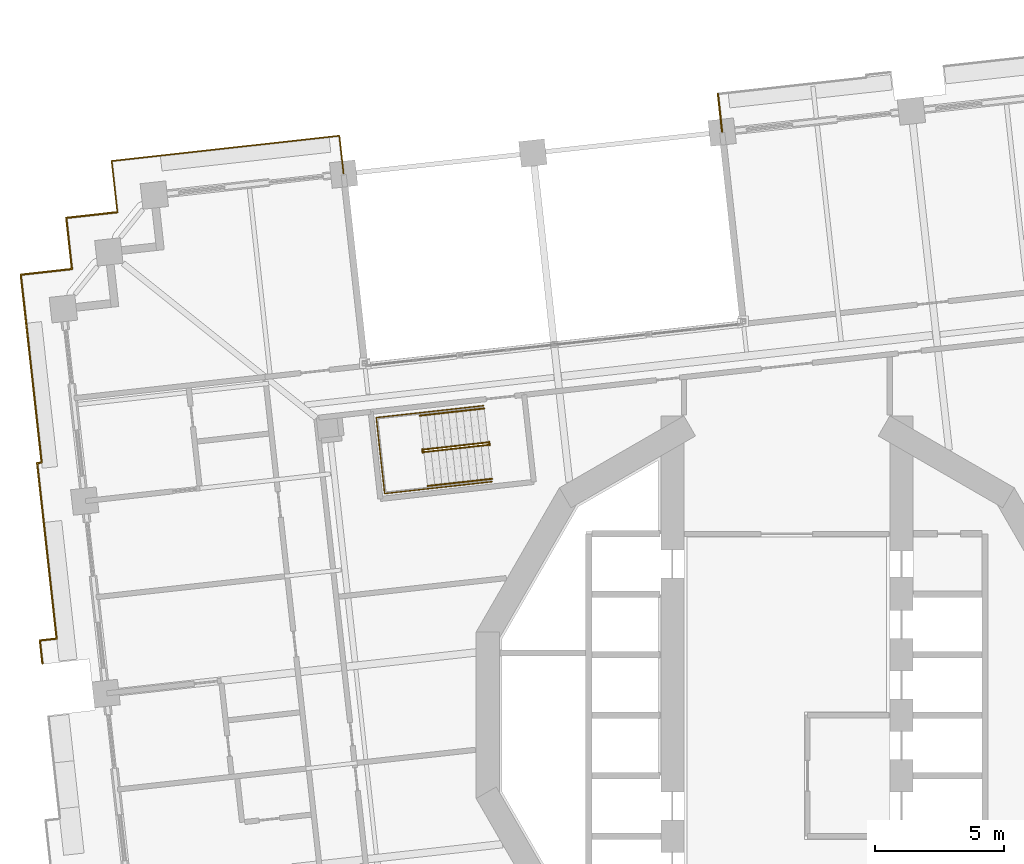
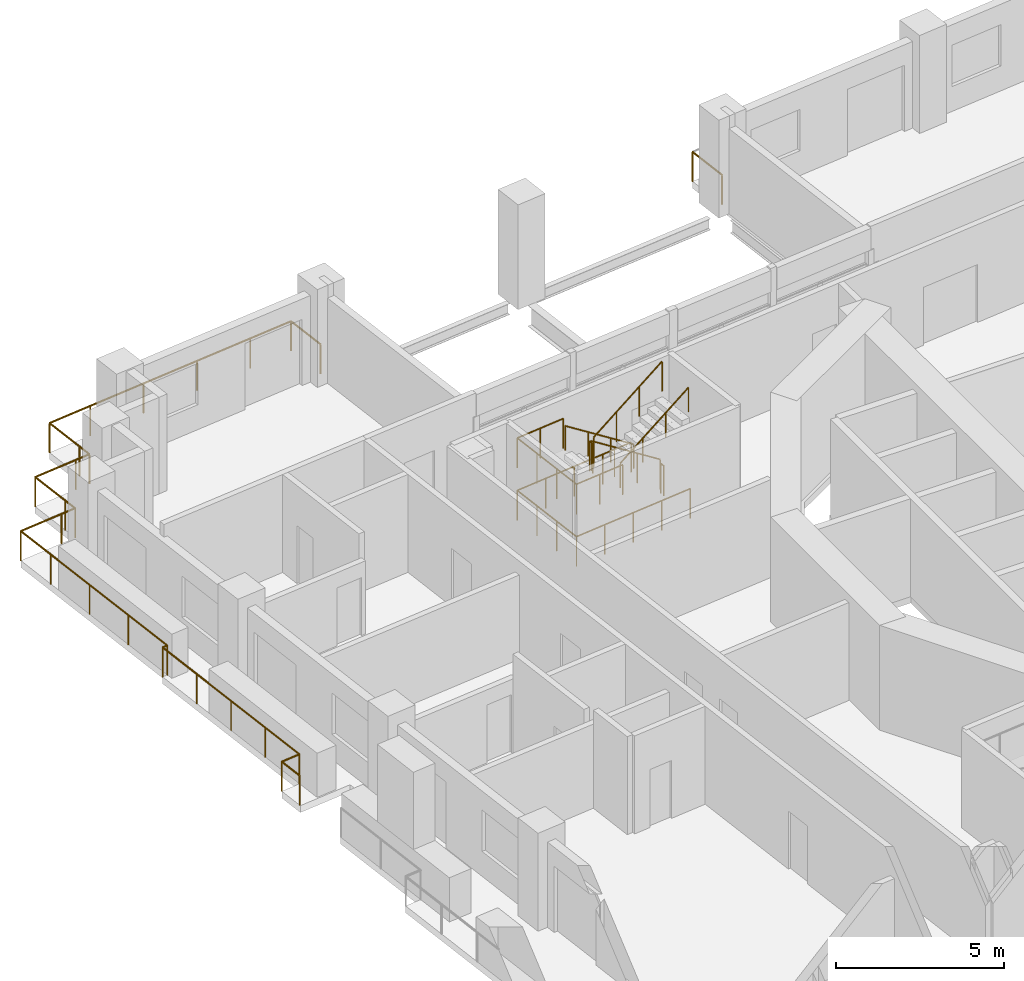
# One storey, part 18 of 21: 10 railings.
"""IFC4 building model written with IfcOpenShell, lengths in metres."""

from ifc_helpers import new_model, si_unit, direction, frame, origin, origin_2d, place, context, subcontext, project, spatial, circle, extrude, material, type_object, element, save


model = new_model("IFC4")

# Units and contexts
model_context = context("Model", 3, precision=1e-05, world=origin(), true_north=direction((0.0, 1.0)))
body_context = subcontext(model_context, "Body", "Model", "MODEL_VIEW")
ifc_project = project(units=[si_unit("LENGTHUNIT", "METRE"), si_unit("AREAUNIT", "SQUARE_METRE"), si_unit("VOLUMEUNIT", "CUBIC_METRE"), si_unit("PLANEANGLEUNIT", "RADIAN"), si_unit("MASSUNIT", "GRAM", prefix="KILO")], contexts=[model_context])

# Site, building, storey
site_placement = place(None, origin())
site = spatial("IfcSite", under=ifc_project, at=site_placement, CompositionType="ELEMENT")
building_placement = place(site_placement, origin())
building = spatial("IfcBuilding", under=site, at=building_placement, Name="Cantera Rosa Tower", CompositionType="ELEMENT")
storey_placement = place(building_placement, frame((0.0, 0.0, 61.5)))
storey = spatial("IfcBuildingStorey", under=building, at=storey_placement, Name="L12", CompositionType="ELEMENT", Elevation=61.5)

# Railings
ifc_material_1 = material(Name="Stainless steel and laminated glass", Category="steel")
railing_type_1 = type_object("IfcRailingType", Name="GUARD 1100", PredefinedType="BALUSTRADE", material=ifc_material_1)
railing_1_placement = place(storey_placement, frame((-26.015380859375, 19.549560546875, 0.0)))
element("IfcRailing", 1, at=railing_1_placement, inside=storey, type_object=railing_type_1, Name="GUARD L12-4", PredefinedType="BALUSTRADE", context=body_context, shape_type="SweptSolid", body=[
    extrude(circle(Radius=0.030029296875, at=origin_2d()), frame((0.0, 0.0, 1.070068359375), z_axis=(-0.110377921269, 0.9938896893, 0.0), x_axis=(-0.9938896893, -0.110377921269, 0.0)), (0.0, 0.0, 1.0), 0.5),
    extrude(circle(Radius=0.030029296875, at=origin_2d()), frame((-0.05517578125, 0.496826171875, 1.070068359375), z_axis=(-0.110181444005, 0.99391148972, 0.0), x_axis=(-0.99391148972, -0.110181444005, 0.0)), (0.0, 0.0, 1.0), 1.5),
    extrude(circle(Radius=0.030029296875, at=origin_2d()), frame((-0.220458984375, 1.98779296875, 1.070068359375), z_axis=(0.993909513469, 0.110199269672, 0.0), x_axis=(-0.110199269672, 0.993909513469, 0.0)), (0.0, 0.0, 1.0), 1.499755859375),
    extrude(circle(Radius=0.030029296875, at=origin_2d()), frame((1.270263671875, 2.153076171875, 1.070068359375), z_axis=(0.993896343916, 0.1103179838, 0.0), x_axis=(-0.1103179838, 0.993896343916, 0.0)), (0.0, 0.0, 1.0), 5.900146484375),
    extrude(circle(Radius=0.030029296875, at=origin_2d()), frame((7.13427734375, 2.803955078125, 1.070068359375), z_axis=(0.993891672249, 0.110360064491, 0.0), x_axis=(-0.110360064491, 0.993891672249, 0.0)), (0.0, 0.0, 1.0), 1.5),
    extrude(circle(Radius=0.030029296875, at=origin_2d()), frame((8.625, 2.969482421875, 1.070068359375), z_axis=(0.110359103751, -0.993891778927, 0.0), x_axis=(0.993891778927, 0.110359103751, 0.0)), (0.0, 0.0, 1.0), 1.47998046875),
    extrude(circle(Radius=0.02490234375, at=origin_2d()), origin(), (0.0, 0.0, 1.0), 1.0400390625),
    extrude(circle(Radius=0.02490234375, at=origin_2d()), frame((-0.05517578125, 0.496826171875, 0.0)), (0.0, 0.0, 1.0), 1.0400390625),
    extrude(circle(Radius=0.02490234375, at=origin_2d()), frame((-0.220458984375, 1.98779296875, 0.0)), (0.0, 0.0, 1.0), 1.0400390625),
    extrude(circle(Radius=0.02490234375, at=origin_2d()), frame((1.270263671875, 2.153076171875, 0.0)), (0.0, 0.0, 1.0), 1.0400390625),
    extrude(circle(Radius=0.02490234375, at=origin_2d()), frame((3.224853515625, 2.3701171875, 0.0)), (0.0, 0.0, 1.0), 1.0400390625),
    extrude(circle(Radius=0.02490234375, at=origin_2d()), frame((5.1796875, 2.5869140625, 0.0)), (0.0, 0.0, 1.0), 1.0400390625),
    extrude(circle(Radius=0.02490234375, at=origin_2d()), frame((7.13427734375, 2.803955078125, 0.0)), (0.0, 0.0, 1.0), 1.0400390625),
    extrude(circle(Radius=0.02490234375, at=origin_2d()), frame((8.625, 2.969482421875, 0.0)), (0.0, 0.0, 1.0), 1.0400390625),
    extrude(circle(Radius=0.02490234375, at=origin_2d()), frame((8.788330078125, 1.49853515625, 0.0)), (0.0, 0.0, 1.0), 1.0400390625),
])
railing_2_placement = place(storey_placement, frame((-28.92919921875, 2.010986328125, 0.0)))
element("IfcRailing", 2, at=railing_2_placement, inside=storey, type_object=railing_type_1, Name="GUARD L12-5", PredefinedType="BALUSTRADE", context=body_context, shape_type="SweptSolid", body=[
    extrude(circle(Radius=0.030029296875, at=origin_2d()), frame((0.0, 0.0, 1.070068359375), z_axis=(-0.110550482044, 0.993870510137, 0.0), x_axis=(-0.993870510137, -0.110550482044, 0.0)), (0.0, 0.0, 1.0), 0.901123046875),
    extrude(circle(Radius=0.030029296875, at=origin_2d()), frame((-0.099609375, 0.8955078125, 1.070068359375), z_axis=(0.993901893263, 0.110267976164, 0.0), x_axis=(-0.110267976164, 0.993901893263, 0.0)), (0.0, 0.0, 1.0), 0.6552734375),
    extrude(circle(Radius=0.030029296875, at=origin_2d()), frame((0.5517578125, 0.9677734375, 1.070068359375), z_axis=(-0.110322228488, 0.993895872766, 0.0), x_axis=(-0.993895872766, -0.110322228488, 0.0)), (0.0, 0.0, 1.0), 6.86474609375),
    extrude(circle(Radius=0.030029296875, at=origin_2d()), frame((-0.20556640625, 7.79052734375, 1.070068359375), z_axis=(0.993798690256, 0.11119425905, 0.0), x_axis=(-0.11119425905, 0.993798690256, 0.0)), (0.0, 0.0, 1.0), 0.175537109375),
    extrude(circle(Radius=0.030029296875, at=origin_2d()), frame((-0.031005859375, 7.81005859375, 1.070068359375), z_axis=(-0.110284804511, 0.993900026106, 0.0), x_axis=(-0.993900026106, -0.110284804511, 0.0)), (0.0, 0.0, 1.0), 5.84423828125),
    extrude(circle(Radius=0.030029296875, at=origin_2d()), frame((-0.675537109375, 13.61865234375, 1.070068359375), z_axis=(-0.110360064491, 0.993891672249, 0.0), x_axis=(-0.993891672249, -0.110360064491, 0.0)), (0.0, 0.0, 1.0), 1.5),
    extrude(circle(Radius=0.030029296875, at=origin_2d()), frame((-0.841064453125, 15.109375, 1.070068359375), z_axis=(0.993891672249, 0.110360064491, 0.0), x_axis=(-0.110360064491, 0.993891672249, 0.0)), (0.0, 0.0, 1.0), 1.5),
    extrude(circle(Radius=0.030029296875, at=origin_2d()), frame((0.649658203125, 15.27490234375, 1.070068359375), z_axis=(0.993895635261, 0.110324368158, 0.0), x_axis=(-0.110324368158, 0.993895635261, 0.0)), (0.0, 0.0, 1.0), 0.500244140625),
    extrude(circle(Radius=0.030029296875, at=origin_2d()), frame((1.146728515625, 15.330078125, 1.070068359375), z_axis=(-0.110324368158, 0.993895635261, 0.0), x_axis=(-0.993895635261, -0.110324368158, 0.0)), (0.0, 0.0, 1.0), 0.500244140625),
    extrude(circle(Radius=0.030029296875, at=origin_2d()), frame((1.091552734375, 15.8271484375, 1.070068359375), z_axis=(-0.110360064491, 0.993891672249, 0.0), x_axis=(-0.993891672249, -0.110360064491, 0.0)), (0.0, 0.0, 1.0), 1.5),
    extrude(circle(Radius=0.030029296875, at=origin_2d()), frame((0.926025390625, 17.31787109375, 1.070068359375), z_axis=(0.993893654236, 0.110342213455, 0.0), x_axis=(-0.110342213455, 0.993893654236, 0.0)), (0.0, 0.0, 1.0), 1.500244140625),
    extrude(circle(Radius=0.030029296875, at=origin_2d()), frame((2.4169921875, 17.4833984375, 1.070068359375), z_axis=(0.9938896893, 0.110377921269, 0.0), x_axis=(-0.110377921269, 0.9938896893, 0.0)), (0.0, 0.0, 1.0), 0.5),
    extrude(circle(Radius=0.02490234375, at=origin_2d()), origin(), (0.0, 0.0, 1.0), 1.0400390625),
    extrude(circle(Radius=0.02490234375, at=origin_2d()), frame((-0.099609375, 0.8955078125, 0.0)), (0.0, 0.0, 1.0), 1.0400390625),
    extrude(circle(Radius=0.02490234375, at=origin_2d()), frame((0.5517578125, 0.9677734375, 0.0)), (0.0, 0.0, 1.0), 1.0400390625),
    extrude(circle(Radius=0.02490234375, at=origin_2d()), frame((0.3623046875, 2.67333984375, 0.0)), (0.0, 0.0, 1.0), 1.0400390625),
    extrude(circle(Radius=0.02490234375, at=origin_2d()), frame((0.173095703125, 4.379150390625, 0.0)), (0.0, 0.0, 1.0), 1.0400390625),
    extrude(circle(Radius=0.02490234375, at=origin_2d()), frame((-0.01611328125, 6.0849609375, 0.0)), (0.0, 0.0, 1.0), 1.0400390625),
    extrude(circle(Radius=0.02490234375, at=origin_2d()), frame((-0.20556640625, 7.79052734375, 0.0)), (0.0, 0.0, 1.0), 1.0400390625),
    extrude(circle(Radius=0.02490234375, at=origin_2d()), frame((-0.031005859375, 7.81005859375, 0.0)), (0.0, 0.0, 1.0), 1.0400390625),
    extrude(circle(Radius=0.02490234375, at=origin_2d()), frame((-0.245849609375, 9.746337890625, 0.0)), (0.0, 0.0, 1.0), 1.0400390625),
    extrude(circle(Radius=0.02490234375, at=origin_2d()), frame((-0.460693359375, 11.682373046875, 0.0)), (0.0, 0.0, 1.0), 1.0400390625),
    extrude(circle(Radius=0.02490234375, at=origin_2d()), frame((-0.675537109375, 13.61865234375, 0.0)), (0.0, 0.0, 1.0), 1.0400390625),
    extrude(circle(Radius=0.02490234375, at=origin_2d()), frame((-0.841064453125, 15.109375, 0.0)), (0.0, 0.0, 1.0), 1.0400390625),
    extrude(circle(Radius=0.02490234375, at=origin_2d()), frame((0.649658203125, 15.27490234375, 0.0)), (0.0, 0.0, 1.0), 1.0400390625),
    extrude(circle(Radius=0.02490234375, at=origin_2d()), frame((1.146728515625, 15.330078125, 0.0)), (0.0, 0.0, 1.0), 1.0400390625),
    extrude(circle(Radius=0.02490234375, at=origin_2d()), frame((1.091552734375, 15.8271484375, 0.0)), (0.0, 0.0, 1.0), 1.0400390625),
    extrude(circle(Radius=0.02490234375, at=origin_2d()), frame((0.926025390625, 17.31787109375, 0.0)), (0.0, 0.0, 1.0), 1.0400390625),
    extrude(circle(Radius=0.02490234375, at=origin_2d()), frame((2.4169921875, 17.4833984375, 0.0)), (0.0, 0.0, 1.0), 1.0400390625),
    extrude(circle(Radius=0.02490234375, at=origin_2d()), frame((2.913818359375, 17.53857421875, 0.0)), (0.0, 0.0, 1.0), 1.0400390625),
])
railing_3_placement = place(storey_placement, frame((-2.517333984375, 22.6806640625, 0.0)))
element("IfcRailing", 3, at=railing_3_placement, inside=storey, type_object=railing_type_1, Name="GUARD L12-7", PredefinedType="BALUSTRADE", context=body_context, shape_type="SweptSolid", body=[
    extrude(circle(Radius=0.030029296875, at=origin_2d()), frame((0.0, 0.0, 1.070068359375), z_axis=(-0.110359103751, 0.993891778927, 0.0), x_axis=(-0.993891778927, -0.110359103751, 0.0)), (0.0, 0.0, 1.0), 1.47998046875),
    extrude(circle(Radius=0.02490234375, at=origin_2d()), origin(), (0.0, 0.0, 1.0), 1.0400390625),
    extrude(circle(Radius=0.02490234375, at=origin_2d()), frame((-0.163330078125, 1.470947265625, 0.0)), (0.0, 0.0, 1.0), 1.0400390625),
])
ifc_material_2 = material(Name="Steel S355J2 (EN 10025-2)", Category="steel")
railing_type_2 = type_object("IfcRailingType", Name="STAIR GUARD 1100", PredefinedType="GUARDRAIL", material=ifc_material_2)
railing_4_placement = place(storey_placement, frame((-11.614013671875, 10.60302734375, 0.18994140625)))
element("IfcRailing", 4, at=railing_4_placement, inside=storey, type_object=railing_type_2, Name="L12 ST-12 stair guard 1", PredefinedType="GUARDRAIL", context=body_context, shape_type="SweptSolid", body=[
    extrude(circle(Radius=0.02392578125, at=origin_2d()), frame((0.0, 0.0, 1.076171875), z_axis=(-0.822437355244, -0.09123050105, 0.561492468674), x_axis=(0.110250758185, -0.993903803353, 0.0)), (0.0, 0.0, 1.0), 3.04541015625),
    extrude(circle(Radius=0.02392578125, at=origin_2d()), frame((-2.504638671875, -0.27783203125, 2.7861328125), z_axis=(-0.932897555956, 0.360141847183, 0.0), x_axis=(-0.360141847183, -0.932897555956, 0.0)), (0.0, 0.0, 1.0), 0.05615234375),
    extrude(circle(Radius=0.02392578125, at=origin_2d()), frame((-2.55712890625, -0.257568359375, 2.7861328125), z_axis=(0.110610055588, -0.993863881828, 0.0), x_axis=(0.993863881828, 0.110610055588, 0.0)), (0.0, 0.0, 1.0), 0.150146484375),
    extrude(circle(Radius=0.02099609375, at=origin_2d()), origin(), (0.0, 0.0, 1.0), 1.052001953125),
    extrude(circle(Radius=0.02099609375, at=origin_2d()), frame((-0.8349609375, -0.092529296875, 0.570068359375)), (0.0, 0.0, 1.0), 1.052001953125),
    extrude(circle(Radius=0.02099609375, at=origin_2d()), frame((-1.669677734375, -0.185302734375, 1.139892578125)), (0.0, 0.0, 1.0), 1.052001953125),
    extrude(circle(Radius=0.02099609375, at=origin_2d()), frame((-2.504638671875, -0.27783203125, 1.7099609375)), (0.0, 0.0, 1.0), 1.052001953125),
    extrude(circle(Radius=0.02099609375, at=origin_2d()), frame((-2.55712890625, -0.257568359375, 1.7099609375)), (0.0, 0.0, 1.0), 1.052001953125),
    extrude(circle(Radius=0.02099609375, at=origin_2d()), frame((-2.54052734375, -0.40673828125, 1.7099609375)), (0.0, 0.0, 1.0), 1.052001953125),
])
railing_5_placement = place(storey_placement, frame((-14.107666015625, 10.227783203125, 2.090087890625)))
element("IfcRailing", 5, at=railing_5_placement, inside=storey, type_object=railing_type_2, Name="L12 ST-12 stair guard 2", PredefinedType="GUARDRAIL", context=body_context, shape_type="SweptSolid", body=[
    extrude(circle(Radius=0.02392578125, at=origin_2d()), frame((0.0, 0.0, 1.076171875), z_axis=(0.822437355244, 0.09123050105, 0.561492468674), x_axis=(-0.110250758185, 0.993903803353, 0.0)), (0.0, 0.0, 1.0), 3.04541015625),
    extrude(circle(Radius=0.02099609375, at=origin_2d()), origin(), (0.0, 0.0, 1.0), 1.052001953125),
    extrude(circle(Radius=0.02099609375, at=origin_2d()), frame((0.8349609375, 0.092529296875, 0.570068359375)), (0.0, 0.0, 1.0), 1.052001953125),
    extrude(circle(Radius=0.02099609375, at=origin_2d()), frame((1.669677734375, 0.185302734375, 1.139892578125)), (0.0, 0.0, 1.0), 1.052001953125),
    extrude(circle(Radius=0.02099609375, at=origin_2d()), frame((2.504638671875, 0.27783203125, 1.7099609375)), (0.0, 0.0, 1.0), 1.052001953125),
])
railing_6_placement = place(storey_placement, frame((-11.567138671875, 10.634521484375, 0.0)))
element("IfcRailing", 6, at=railing_6_placement, inside=storey, type_object=railing_type_2, Name="L12 ST-12 stair guard 3", PredefinedType="GUARDRAIL", context=body_context, shape_type="SweptSolid", body=[
    extrude(circle(Radius=0.02392578125, at=origin_2d()), frame((0.0, 0.0, 1.076171875), z_axis=(0.110610055588, -0.993863881828, 0.0), x_axis=(0.993863881828, 0.110610055588, 0.0)), (0.0, 0.0, 1.0), 0.150146484375),
    extrude(circle(Radius=0.02099609375, at=origin_2d()), origin(), (0.0, 0.0, 1.0), 1.052001953125),
    extrude(circle(Radius=0.02099609375, at=origin_2d()), frame((0.0166015625, -0.149169921875, 0.0)), (0.0, 0.0, 1.0), 1.052001953125),
])
railing_7_placement = place(storey_placement, frame((-11.7841796875, 12.029052734375, 0.0)))
element("IfcRailing", 7, at=railing_7_placement, inside=storey, type_object=railing_type_2, Name="L12 ST-12 stair guard 4", PredefinedType="GUARDRAIL", context=body_context, shape_type="SweptSolid", body=[
    extrude(circle(Radius=0.02392578125, at=origin_2d()), frame((0.0, 0.0, 1.076171875), z_axis=(-0.9938957856, -0.110323013767, 0.0), x_axis=(0.110323013767, -0.9938957856, 0.0)), (0.0, 0.0, 1.0), 4.197998046875),
    extrude(circle(Radius=0.02392578125, at=origin_2d()), frame((-4.17236328125, -0.463134765625, 1.076171875), z_axis=(0.11023303584, -0.99390576908, 0.0), x_axis=(0.99390576908, 0.11023303584, 0.0)), (0.0, 0.0, 1.0), 2.969970703125),
    extrude(circle(Radius=0.02392578125, at=origin_2d()), frame((-3.844970703125, -3.4150390625, 1.076171875), z_axis=(0.993896493372, 0.11031663729, 0.0), x_axis=(-0.11031663729, 0.993896493372, 0.0)), (0.0, 0.0, 1.0), 4.1982421875),
    extrude(circle(Radius=0.02099609375, at=origin_2d()), origin(), (0.0, 0.0, 1.0), 1.052001953125),
    extrude(circle(Radius=0.02099609375, at=origin_2d()), frame((-1.04296875, -0.11572265625, 0.0)), (0.0, 0.0, 1.0), 1.052001953125),
    extrude(circle(Radius=0.02099609375, at=origin_2d()), frame((-2.086181640625, -0.2314453125, 0.0)), (0.0, 0.0, 1.0), 1.052001953125),
    extrude(circle(Radius=0.02099609375, at=origin_2d()), frame((-3.12939453125, -0.347412109375, 0.0)), (0.0, 0.0, 1.0), 1.052001953125),
    extrude(circle(Radius=0.02099609375, at=origin_2d()), frame((-4.17236328125, -0.463134765625, 0.0)), (0.0, 0.0, 1.0), 1.052001953125),
    extrude(circle(Radius=0.02099609375, at=origin_2d()), frame((-4.063232421875, -1.447021484375, 0.0)), (0.0, 0.0, 1.0), 1.052001953125),
    extrude(circle(Radius=0.02099609375, at=origin_2d()), frame((-3.9541015625, -2.43115234375, 0.0)), (0.0, 0.0, 1.0), 1.052001953125),
    extrude(circle(Radius=0.02099609375, at=origin_2d()), frame((-3.844970703125, -3.4150390625, 0.0)), (0.0, 0.0, 1.0), 1.052001953125),
    extrude(circle(Radius=0.02099609375, at=origin_2d()), frame((-2.8017578125, -3.29931640625, 0.0)), (0.0, 0.0, 1.0), 1.052001953125),
    extrude(circle(Radius=0.02099609375, at=origin_2d()), frame((-1.7587890625, -3.18359375, 0.0)), (0.0, 0.0, 1.0), 1.052001953125),
    extrude(circle(Radius=0.02099609375, at=origin_2d()), frame((-0.715576171875, -3.067626953125, 0.0)), (0.0, 0.0, 1.0), 1.052001953125),
    extrude(circle(Radius=0.02099609375, at=origin_2d()), frame((0.32763671875, -2.951904296875, 0.0)), (0.0, 0.0, 1.0), 1.052001953125),
])
railing_8_placement = place(storey_placement, frame((-14.26513671875, 11.753662109375, 1.89990234375)))
element("IfcRailing", 8, at=railing_8_placement, inside=storey, type_object=railing_type_2, Name="L12 ST-12 stair guard 5", PredefinedType="GUARDRAIL", context=body_context, shape_type="SweptSolid", body=[
    extrude(circle(Radius=0.02392578125, at=origin_2d()), frame((0.0, 0.0, 1.076171875), z_axis=(-0.99389597521, -0.110321305562, 0.0), x_axis=(0.110321305562, -0.99389597521, 0.0)), (0.0, 0.0, 1.0), 1.701904296875),
    extrude(circle(Radius=0.02392578125, at=origin_2d()), frame((-1.69140625, -0.187744140625, 1.076171875), z_axis=(0.11023303584, -0.99390576908, 0.0), x_axis=(0.99390576908, 0.11023303584, 0.0)), (0.0, 0.0, 1.0), 2.969970703125),
    extrude(circle(Radius=0.02392578125, at=origin_2d()), frame((-1.364013671875, -3.1396484375, 1.076171875), z_axis=(0.993897720867, 0.110305577623, 0.0), x_axis=(-0.110305577623, 0.993897720867, 0.0)), (0.0, 0.0, 1.0), 1.7021484375),
    extrude(circle(Radius=0.02099609375, at=origin_2d()), origin(), (0.0, 0.0, 1.0), 1.052001953125),
    extrude(circle(Radius=0.02099609375, at=origin_2d()), frame((-0.845703125, -0.09375, 0.0)), (0.0, 0.0, 1.0), 1.052001953125),
    extrude(circle(Radius=0.02099609375, at=origin_2d()), frame((-1.69140625, -0.187744140625, 0.0)), (0.0, 0.0, 1.0), 1.052001953125),
    extrude(circle(Radius=0.02099609375, at=origin_2d()), frame((-1.582275390625, -1.171630859375, 0.0)), (0.0, 0.0, 1.0), 1.052001953125),
    extrude(circle(Radius=0.02099609375, at=origin_2d()), frame((-1.47314453125, -2.15576171875, 0.0)), (0.0, 0.0, 1.0), 1.052001953125),
    extrude(circle(Radius=0.02099609375, at=origin_2d()), frame((-1.364013671875, -3.1396484375, 0.0)), (0.0, 0.0, 1.0), 1.052001953125),
    extrude(circle(Radius=0.02099609375, at=origin_2d()), frame((-0.51806640625, -3.0458984375, 0.0)), (0.0, 0.0, 1.0), 1.052001953125),
    extrude(circle(Radius=0.02099609375, at=origin_2d()), frame((0.32763671875, -2.951904296875, 0.0)), (0.0, 0.0, 1.0), 1.052001953125),
])
ifc_material_3 = material(Name="Steel S355J2 (EN 10025-2)", Category="steel")
railing_type_3 = type_object("IfcRailingType", Name="STAIR HANDRAIL 900", PredefinedType="HANDRAIL", material=ifc_material_3)
railing_9_placement = place(storey_placement, frame((-11.76025390625, 11.921142578125, 0.18994140625)))
element("IfcRailing", 9, at=railing_9_placement, inside=storey, type_object=railing_type_3, Name="L12 ST-12 stair handrail 1", PredefinedType="HANDRAIL", context=body_context, shape_type="SweptSolid", body=[
    extrude(circle(Radius=0.02392578125, at=origin_2d()), frame((0.0, 0.0, 0.8759765625), z_axis=(-0.822431337597, -0.091310000343, 0.561488360321), x_axis=(0.110346460196, -0.993893182753, 0.0)), (0.0, 0.0, 1.0), 3.04541015625),
    extrude(circle(Radius=0.02099609375, at=origin_2d()), origin(), (0.0, 0.0, 1.0), 0.851806640625),
    extrude(circle(Radius=0.02099609375, at=origin_2d()), frame((-0.8349609375, -0.0927734375, 0.570068359375)), (0.0, 0.0, 1.0), 0.851806640625),
    extrude(circle(Radius=0.02099609375, at=origin_2d()), frame((-1.669677734375, -0.185302734375, 1.139892578125)), (0.0, 0.0, 1.0), 0.851806640625),
    extrude(circle(Radius=0.02099609375, at=origin_2d()), frame((-2.504638671875, -0.278076171875, 1.7099609375)), (0.0, 0.0, 1.0), 0.851806640625),
])
railing_10_placement = place(storey_placement, frame((-13.96142578125, 8.909912109375, 2.090087890625)))
element("IfcRailing", 10, at=railing_10_placement, inside=storey, type_object=railing_type_3, Name="L12 ST-12 stair handrail 2", PredefinedType="HANDRAIL", context=body_context, shape_type="SweptSolid", body=[
    extrude(circle(Radius=0.02392578125, at=origin_2d()), frame((0.0, 0.0, 0.8759765625), z_axis=(0.822437355244, 0.09123050105, 0.561492468674), x_axis=(-0.110250758185, 0.993903803353, 0.0)), (0.0, 0.0, 1.0), 3.04541015625),
    extrude(circle(Radius=0.02099609375, at=origin_2d()), origin(), (0.0, 0.0, 1.0), 0.851806640625),
    extrude(circle(Radius=0.02099609375, at=origin_2d()), frame((0.8349609375, 0.092529296875, 0.570068359375)), (0.0, 0.0, 1.0), 0.851806640625),
    extrude(circle(Radius=0.02099609375, at=origin_2d()), frame((1.669677734375, 0.185302734375, 1.139892578125)), (0.0, 0.0, 1.0), 0.851806640625),
    extrude(circle(Radius=0.02099609375, at=origin_2d()), frame((2.504638671875, 0.27783203125, 1.7099609375)), (0.0, 0.0, 1.0), 0.851806640625),
])

save(model, "model.ifc")
